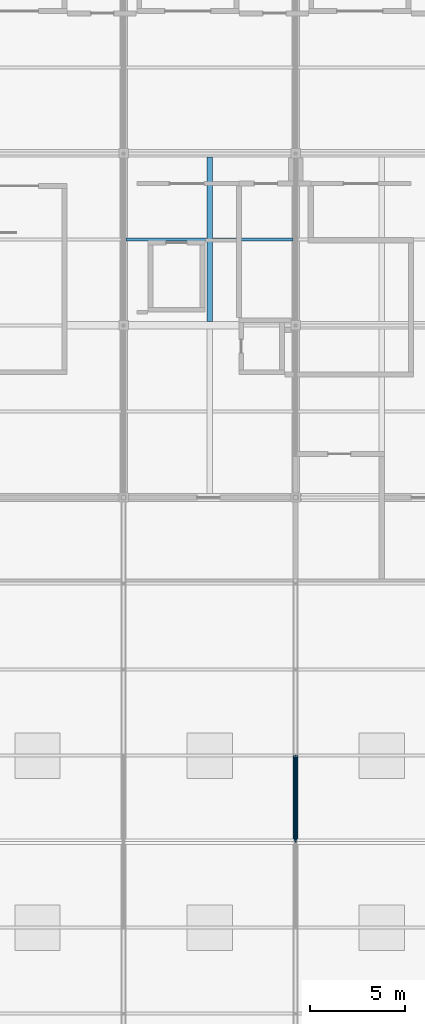
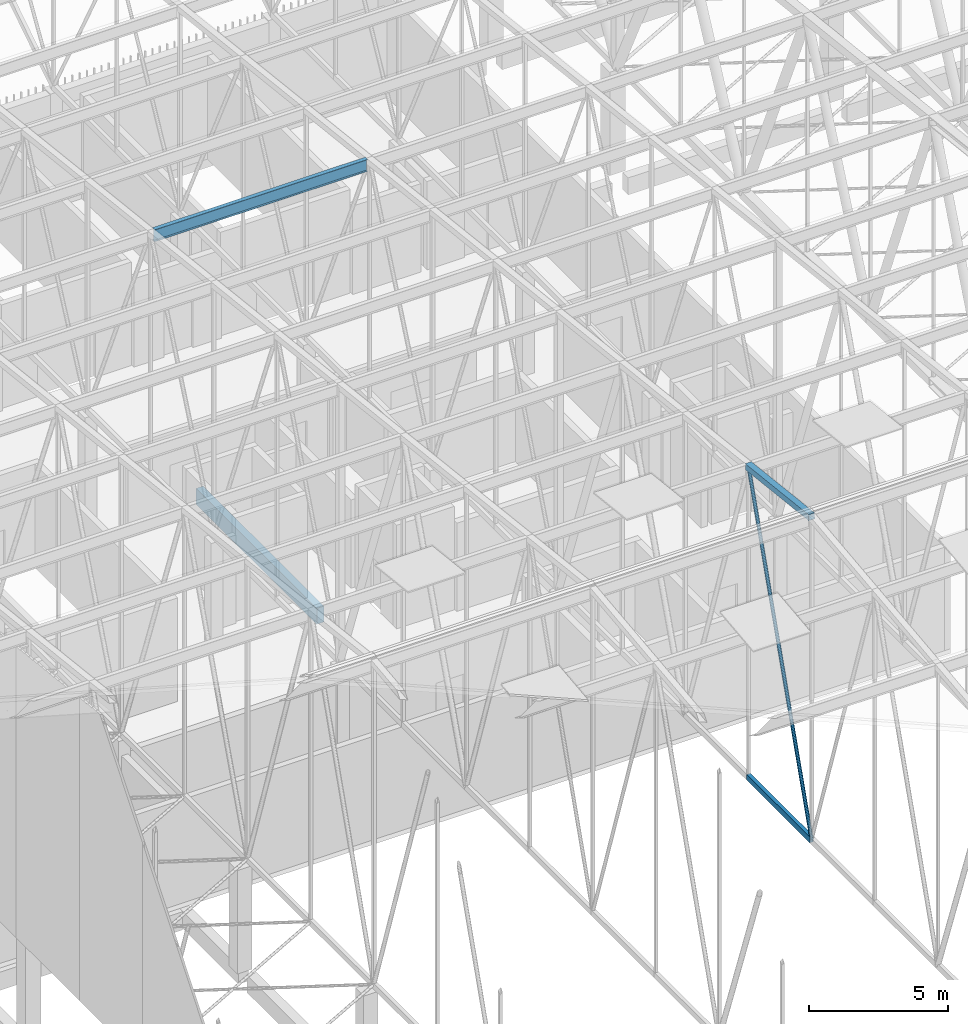
# One storey, part 193 of 500: 4 members, 1 beam.
"""IFC4 building model written with IfcOpenShell, lengths in metres."""

from ifc_helpers import new_model, si_unit, direction, frame, origin, origin_2d, place, context, subcontext, project, spatial, rectangle, hollow_rectangle, hollow_circle, i_section, extrude, material, material_profile, profile_set, type_object, element, save


model = new_model("IFC4")

# Units and contexts
model_context = context("Model", 3, precision=1e-05, world=origin(), true_north=direction((0.0, 1.0)))
body_context = subcontext(model_context, "Body", "Model", "MODEL_VIEW")
ifc_project = project(units=[si_unit("LENGTHUNIT", "METRE"), si_unit("AREAUNIT", "SQUARE_METRE"), si_unit("VOLUMEUNIT", "CUBIC_METRE"), si_unit("PLANEANGLEUNIT", "RADIAN"), si_unit("MASSUNIT", "GRAM", prefix="KILO")], contexts=[model_context])

# Site, building, storey
site_placement = place(None, origin())
site = spatial("IfcSite", under=ifc_project, at=site_placement, CompositionType="ELEMENT")
building_placement = place(site_placement, origin())
building = spatial("IfcBuilding", under=site, at=building_placement, Name="Shirokan Park Arena", CompositionType="ELEMENT")
storey_placement = place(building_placement, frame((0.0, 0.0, 29.1201171875)))
storey = spatial("IfcBuildingStorey", under=building, at=storey_placement, Name="L06", CompositionType="ELEMENT", Elevation=29.1201171875)

# Members
ifc_material_1 = material(Name="Steel ASTM A500 Grade C", Category="steel")
ifc_material_profile_1 = material_profile(ifc_material_1, hollow_rectangle(XDim=0.152099609375, YDim=0.25390625, WallThickness=0.009521484375, at=origin_2d()), Name="HSS254X152.4X9.5")
ifc_profile_set_1 = profile_set([ifc_material_profile_1], Name="Steel ASTM A500 Grade C")
member_type_1 = type_object("IfcMemberType", Name="Bottom chord HSS254X152.4X9.5", PredefinedType="CHORD", material=ifc_profile_set_1)
member_1_placement = place(storey_placement, frame((27.300048828125, 54.60009765625, 4.677001953125), z_axis=(0.0, 1.0, 0.0), x_axis=(-1.0, 0.0, 0.0)))
element("IfcMember", 1, at=member_1_placement, inside=storey, type_object=member_type_1, Name="Truss T04 bottom chord 15", PredefinedType="CHORD", context=body_context, shape_type="SweptSolid", body=[
    extrude(hollow_rectangle(XDim=0.152099609375, YDim=0.25390625, WallThickness=0.009521484375, at=origin_2d()), origin(), (0.0, 0.0, 1.0), 4.5498046875),
])
ifc_material_2 = material(Name="Steel ASTM A992", Category="steel")
ifc_material_profile_2 = material_profile(ifc_material_2, i_section(OverallWidth=0.166015625, OverallDepth=0.528076171875, WebThickness=0.009765625, FlangeThickness=0.013671875, at=origin_2d()), Name="W530X74")
ifc_profile_set_2 = profile_set([ifc_material_profile_2], Name="Steel ASTM A992")
member_type_2 = type_object("IfcMemberType", Name="Purlin W530X74", PredefinedType="PURLIN", material=ifc_profile_set_2)
member_2_placement = place(storey_placement, frame((18.326904296875, 86.449951171875, 15.0859375), z_axis=(1.0, 0.0, 0.0), x_axis=(0.0, 1.0, 0.0)))
element("IfcMember", 2, at=member_2_placement, inside=storey, type_object=member_type_2, Name="Purlin 22 bay 3", PredefinedType="PURLIN", context=body_context, shape_type="SweptSolid", body=[
    extrude(i_section(OverallWidth=0.166015625, OverallDepth=0.528076171875, WebThickness=0.009765625, FlangeThickness=0.013671875, at=origin_2d()), origin(), (0.0, 0.0, 1.0), 8.84619140625),
])

# Beam
ifc_material_3 = material(Name="Concrete C35", Category="concrete")
ifc_material_profile_3 = material_profile(ifc_material_3, rectangle(XDim=0.300048828125, YDim=0.699951171875, at=origin_2d()), Name="300x700")
ifc_profile_set_3 = profile_set([ifc_material_profile_3], Name="Concrete C35")
beam_type = type_object("IfcBeamType", Name="RC joist 300x700", PredefinedType="JOIST", material=ifc_profile_set_3)
beam_placement = place(storey_placement, frame((22.75, 82.10009765625, -0.550048828125), z_axis=(0.0, 1.0, 0.0), x_axis=(-1.0, 0.0, 0.0)))
element("IfcBeam", 3, at=beam_placement, inside=storey, type_object=beam_type, Name="Joist 3K L06", PredefinedType="JOIST", context=body_context, shape_type="SweptSolid", body=[
    extrude(rectangle(XDim=0.300048828125, YDim=0.699951171875, at=origin_2d()), origin(), (0.0, 0.0, 1.0), 8.699951171875),
])

# Members
ifc_material_profile_4 = material_profile(ifc_material_1, hollow_rectangle(XDim=0.25390625, YDim=0.25390625, WallThickness=0.009521484375, at=origin_2d()), Name="HSS254X254X9.5")
ifc_profile_set_4 = profile_set([ifc_material_profile_4], Name="Steel ASTM A500 Grade C")
member_type_3 = type_object("IfcMemberType", Name="Top chord HSS254X254X9.5", PredefinedType="CHORD", material=ifc_profile_set_4)
member_3_placement = place(storey_placement, frame((27.300048828125, 54.60009765625, 18.86279296875), z_axis=(0.0, 0.993531641592, -0.11355561261), x_axis=(-1.0, 0.0, 0.0)))
element("IfcMember", 4, at=member_3_placement, inside=storey, type_object=member_type_3, Name="Truss T04 top chord 15", PredefinedType="CHORD", context=body_context, shape_type="SweptSolid", body=[
    extrude(hollow_rectangle(XDim=0.25390625, YDim=0.25390625, WallThickness=0.009521484375, at=origin_2d()), origin(), (0.0, 0.0, 1.0), 4.579345703125),
])
ifc_material_profile_5 = material_profile(ifc_material_1, hollow_circle(Radius=0.070556640625, WallThickness=0.006591796875, at=origin_2d()), Name="HSS141.3X6.6")
ifc_profile_set_5 = profile_set([ifc_material_profile_5], Name="Steel ASTM A500 Grade C")
member_type_4 = type_object("IfcMemberType", Name="Truss diagonal HSS141.3X6.6", PredefinedType="BRACE", material=ifc_profile_set_5)
member_4_placement = place(storey_placement, frame((27.300048828125, 54.60009765625, 4.677001953125), z_axis=(0.0, 0.315887043243, 0.948796804332), x_axis=(-1.0, 0.0, 0.0)))
element("IfcMember", 5, at=member_4_placement, inside=storey, type_object=member_type_4, Name="Truss T04 diagonal 15", PredefinedType="BRACE", context=body_context, shape_type="SweptSolid", body=[
    extrude(hollow_circle(Radius=0.070556640625, WallThickness=0.006591796875, at=origin_2d()), origin(), (0.0, 0.0, 1.0), 14.4033203125),
])

save(model, "model.ifc")
